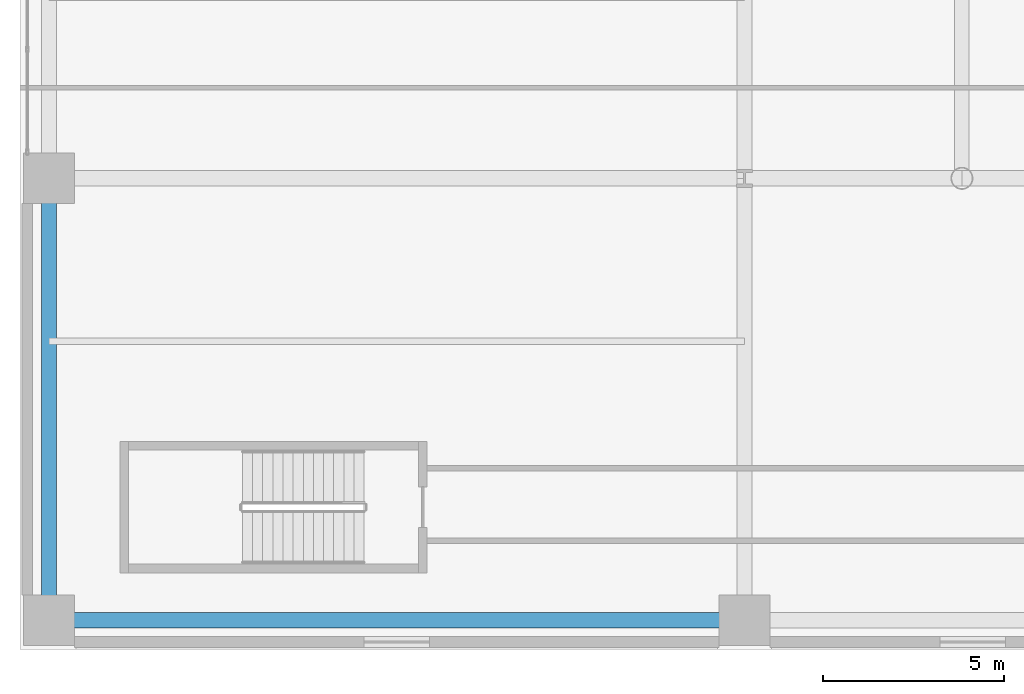
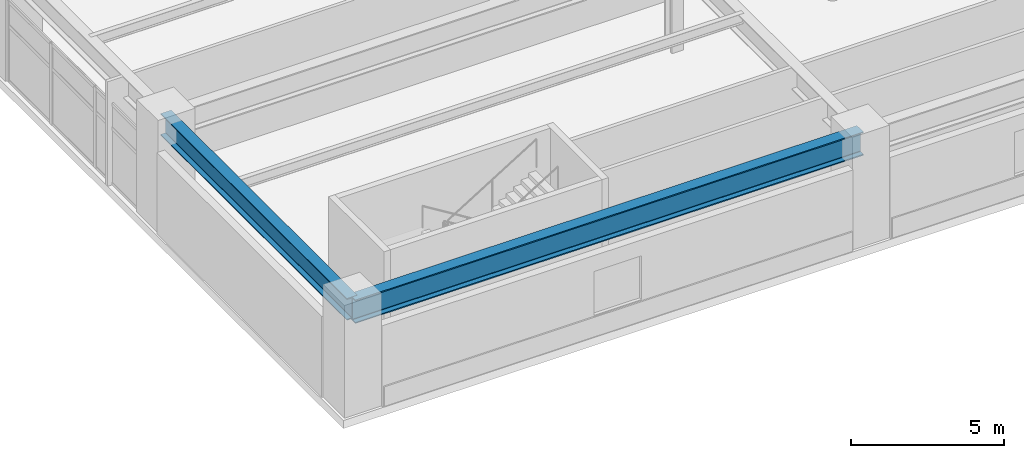
# One storey, part 4 of 28: 2 beams.
"""IFC4 building model written with IfcOpenShell, lengths in metres."""

from ifc_helpers import new_model, si_unit, direction, frame, origin, origin_2d, place, context, subcontext, project, spatial, i_section, extrude, material, material_profile, profile_set, type_object, element, save


model = new_model("IFC4")

# Units and contexts
model_context = context("Model", 3, precision=1e-05, world=origin(), true_north=direction((0.0, 1.0)))
body_context = subcontext(model_context, "Body", "Model", "MODEL_VIEW")
ifc_project = project(units=[si_unit("LENGTHUNIT", "METRE"), si_unit("AREAUNIT", "SQUARE_METRE"), si_unit("VOLUMEUNIT", "CUBIC_METRE"), si_unit("PLANEANGLEUNIT", "RADIAN"), si_unit("MASSUNIT", "GRAM", prefix="KILO")], contexts=[model_context])

# Site, building, storey
site_placement = place(None, origin())
site = spatial("IfcSite", under=ifc_project, at=site_placement, CompositionType="ELEMENT")
building_placement = place(site_placement, origin())
building = spatial("IfcBuilding", under=site, at=building_placement, Name="Soratama Intermodal Tower", CompositionType="ELEMENT")
storey_placement = place(building_placement, frame((0.0, 0.0, 20.699951171875)))
storey = spatial("IfcBuildingStorey", under=building, at=storey_placement, Name="L04", CompositionType="ELEMENT", Elevation=20.699951171875)

# Beams
ifc_material_1 = material(Name="Structural steel ASTM A992 Grade 50", Category="steel")
ifc_material_profile_1 = material_profile(ifc_material_1, i_section(OverallWidth=0.403076171875, OverallDepth=0.867919921875, WebThickness=0.02099609375, FlangeThickness=0.03564453125, FilletRadius=0.01806640625, at=origin_2d()), Name="W33X241")
ifc_profile_set_1 = profile_set([ifc_material_profile_1], Name="Structural steel ASTM A992 Grade 50")
beam_type_1 = type_object("IfcBeamType", Name="BM-POD-EXT-W33", PredefinedType="BEAM", material=ifc_profile_set_1)
beam_1_placement = place(storey_placement, frame((0.800048828125, 2.800048828125, 3.74609375), z_axis=(0.0, 1.0, 0.0), x_axis=(-1.0, 0.0, 0.0)))
element("IfcBeam", 1, at=beam_1_placement, inside=storey, type_object=beam_type_1, Name="L04 Station Girder Y1-1", PredefinedType="BEAM", context=body_context, shape_type="SweptSolid", body=[
    extrude(i_section(OverallWidth=0.403076171875, OverallDepth=0.867919921875, WebThickness=0.02099609375, FlangeThickness=0.03564453125, FilletRadius=0.01806640625, at=origin_2d()), origin(), (0.0, 0.0, 1.0), 12.199951171875),
])
ifc_material_2 = material(Name="Structural steel ASTM A992 Grade 50", Category="steel")
ifc_material_profile_2 = material_profile(ifc_material_2, i_section(OverallWidth=0.423095703125, OverallDepth=0.93896484375, WebThickness=0.02392578125, FlangeThickness=0.042724609375, FilletRadius=0.02392578125, at=origin_2d()), Name="W36X302")
ifc_profile_set_2 = profile_set([ifc_material_profile_2], Name="Structural steel ASTM A992 Grade 50")
beam_type_2 = type_object("IfcBeamType", Name="BM-POD-EXT-W36", PredefinedType="BEAM", material=ifc_profile_set_2)
beam_2_placement = place(storey_placement, frame((0.800048828125, 2.800048828125, 3.71044921875), z_axis=(1.0, 0.0, 0.0), x_axis=(0.0, 1.0, 0.0)))
element("IfcBeam", 2, at=beam_2_placement, inside=storey, type_object=beam_type_2, Name="L04 Station Girder X1-1", PredefinedType="BEAM", context=body_context, shape_type="SweptSolid", body=[
    extrude(i_section(OverallWidth=0.423095703125, OverallDepth=0.93896484375, WebThickness=0.02392578125, FlangeThickness=0.042724609375, FilletRadius=0.02392578125, at=origin_2d()), origin(), (0.0, 0.0, 1.0), 19.199951171875),
])

save(model, "model.ifc")
